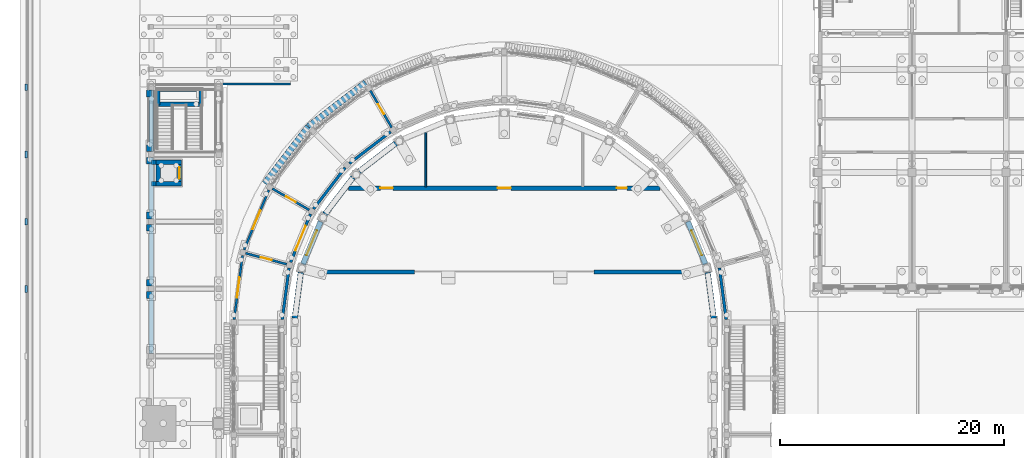
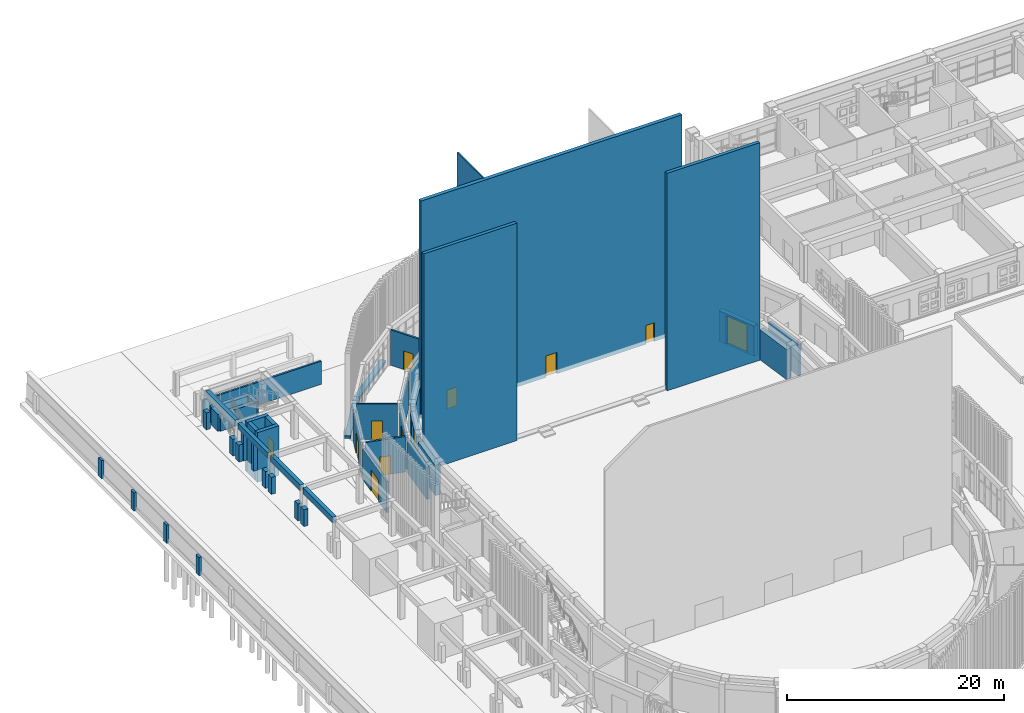
# One storey, part 69 of 112: 48 walls, 12 doors, 12 openings.
"""IFC4 building model written with IfcOpenShell, lengths in metres."""

from ifc_helpers import new_model, si_unit, direction, frame, frame_2d, origin, place, context, subcontext, project, spatial, rectangle, extrude, material, layer, layer_set, type_object, element, fill, save


model = new_model("IFC4")

# Units and contexts
model_context = context("Model", 3, precision=1e-05, world=origin(), true_north=direction((0.0, 1.0)))
body_context = subcontext(model_context, "Body", "Model", "MODEL_VIEW")
ifc_project = project(units=[si_unit("LENGTHUNIT", "METRE"), si_unit("AREAUNIT", "SQUARE_METRE"), si_unit("VOLUMEUNIT", "CUBIC_METRE"), si_unit("PLANEANGLEUNIT", "RADIAN"), si_unit("MASSUNIT", "GRAM", prefix="KILO")], contexts=[model_context])

# Site, building, storey
site_placement = place(None, origin())
site = spatial("IfcSite", under=ifc_project, at=site_placement, CompositionType="ELEMENT")
building_placement = place(site_placement, origin())
building = spatial("IfcBuilding", under=site, at=building_placement, Name="Wasatch Bagh Community Centre", CompositionType="ELEMENT")
storey_placement = place(building_placement, origin())
storey = spatial("IfcBuildingStorey", under=building, at=storey_placement, Name="L00", CompositionType="ELEMENT", Elevation=0.0)

# Walls
ifc_material_1 = material(Name="Concrete C40", Category="concrete")
ifc_layer_1 = layer(ifc_material_1, 0.39990234375)
ifc_layer_set_1 = layer_set([ifc_layer_1], Name="Concrete C40")
wall_type_1 = type_object("IfcWallType", Name="CT-W1", PredefinedType="STANDARD", material=ifc_layer_set_1)
for number, where, z_axis, x_axis, name in (
    (1, (4.5, 62.25, 3.300048828125), (0.0, 0.0, 1.0), (0.0, 1.0, 0.0), "CT-W1 arcade spandrel band 9"),
    (2, (4.5, 68.25, 3.300048828125), (0.0, 0.0, 1.0), (0.0, 1.0, 0.0), "CT-W1 arcade spandrel band 10"),
    (3, (4.5, 74.25, 3.300048828125), (0.0, 0.0, 1.0), (0.0, 1.0, 0.0), "CT-W1 arcade spandrel band 11"),
    (4, (4.5, 80.25, 3.300048828125), (0.0, 0.0, 1.0), (0.0, 1.0, 0.0), "CT-W1 arcade spandrel band 12"),
):
    element("IfcWall", number, at=place(storey_placement, frame(where, z_axis=z_axis, x_axis=x_axis)), inside=storey, type_object=wall_type_1, Name=name, PredefinedType="STANDARD", context=body_context, shape_type="SweptSolid", body=[
        extrude(rectangle(XDim=5.5, YDim=0.39990234375, at=frame_2d((2.75, 0.0))), origin(), (0.0, 0.0, 1.0), 0.64990234375),
    ])
ifc_layer_2 = layer(ifc_material_1, 0.39990234375)
ifc_layer_set_2 = layer_set([ifc_layer_2], Name="Concrete C40")
wall_type_2 = type_object("IfcWallType", Name="CT-W2", PredefinedType="SHEAR", material=ifc_layer_set_2)
for number, where, z_axis, x_axis, name in (
    (5, (4.89990234375, 77.39990234375, -1.39990234375), (0.0, 0.0, 1.0), (1.0, 0.0, 0.0), "LC2 shaft wall S"),
    (6, (4.89990234375, 79.300048828125, -1.39990234375), (0.0, 0.0, 1.0), (1.0, 0.0, 0.0), "LC2 shaft wall N"),
):
    element("IfcWall", number, at=place(storey_placement, frame(where, z_axis=z_axis, x_axis=x_axis)), inside=storey, type_object=wall_type_2, Name=name, PredefinedType="SHEAR", context=body_context, shape_type="SweptSolid", body=[
        extrude(rectangle(XDim=2.300048828125, YDim=0.39990234375, at=frame_2d((1.14990234375, 0.0))), origin(), (0.0, 0.0, 1.0), 5.599853515625),
    ])
wall_1_placement = place(storey_placement, frame((5.10009765625, 77.60009765625, -1.39990234375), z_axis=(0.0, 0.0, 1.0), x_axis=(0.0, 1.0, 0.0)))
element("IfcWall", 7, at=wall_1_placement, inside=storey, type_object=wall_type_2, Name="LC2 shaft wall W", PredefinedType="SHEAR", context=body_context, shape_type="SweptSolid", body=[
    extrude(rectangle(XDim=1.5, YDim=0.39990234375, at=frame_2d((0.75, 0.0))), origin(), (0.0, 0.0, 1.0), 5.599853515625),
])

# Wall, opening, door
wall_2_placement = place(storey_placement, frame((7.0, 77.60009765625, -1.39990234375), z_axis=(0.0, 0.0, 1.0), x_axis=(0.0, 1.0, 0.0)))
wall_2 = element("IfcWall", 8, at=wall_2_placement, inside=storey, type_object=wall_type_2, Name="LC2 shaft wall E", PredefinedType="SHEAR", context=body_context, shape_type="SweptSolid", body=[
    extrude(rectangle(XDim=1.5, YDim=0.39990234375, at=frame_2d((0.75, 0.0))), origin(), (0.0, 0.0, 1.0), 5.599853515625),
])
opening_1_placement = place(wall_2_placement, frame((0.25, 0.0, 1.39990234375)))
opening_1 = element("IfcOpeningElement", 9, at=opening_1_placement, cuts=wall_2, Name="Opening LD", PredefinedType="OPENING", context=body_context, shape_type="SweptSolid", body=[
    extrude(rectangle(XDim=1.0, YDim=2.10009765625, at=frame_2d((0.5, 1.050048828125))), frame((0.0, 0.2099609375, 0.0), z_axis=(0.0, -1.0, 0.0), x_axis=(1.0, 0.0, 0.0)), (0.0, 0.0, 1.0), 0.419921875),
])
ifc_material_2 = material(Name="Stainless steel landing door", Category="steel")
door_type_1 = type_object("IfcDoorType", Name="Lift landing door 1000 x 2100", OperationType="SLIDING_TO_LEFT", PredefinedType="DOOR", material=ifc_material_2)
door_1_placement = place(opening_1_placement, origin())
door_1 = element("IfcDoor", 10, at=door_1_placement, inside=storey, type_object=door_type_1, Name="LC2 landing door L00", OperationType="SLIDING_TO_LEFT", OverallHeight=2.10009765625, OverallWidth=1.0, PredefinedType="DOOR", context=body_context, shape_type="SweptSolid", body=[
    extrude(rectangle(XDim=1.0, YDim=2.10009765625, at=frame_2d((0.5, 1.050048828125))), frame((0.0, 0.02490234375, 0.0), z_axis=(0.0, -1.0, 0.0), x_axis=(1.0, 0.0, 0.0)), (0.0, 0.0, 1.0), 0.050048828125),
])
fill(opening_1, door_1)

# Walls
for number, where, z_axis, x_axis, name in (
    (11, (4.5, 77.39990234375, 0.0), (0.0, 0.0, 1.0), (1.0, 0.0, 0.0), "LC2 shaft wall return S"),
    (12, (4.5, 79.300048828125, 0.0), (0.0, 0.0, 1.0), (1.0, 0.0, 0.0), "LC2 shaft wall return N"),
):
    element("IfcWall", number, at=place(storey_placement, frame(where, z_axis=z_axis, x_axis=x_axis)), inside=storey, type_object=wall_type_2, Name=name, PredefinedType="SHEAR", context=body_context, shape_type="SweptSolid", body=[
        extrude(rectangle(XDim=0.39990234375, YDim=0.39990234375, at=frame_2d((0.199951171875, 0.0))), origin(), (0.0, 0.0, 1.0), 3.25),
    ])
wall_3_placement = place(storey_placement, frame((4.949951171875, 85.800048828125, 0.0), z_axis=(0.0, 0.0, 1.0), x_axis=(1.0, 0.0, 0.0)))
element("IfcWall", 13, at=wall_3_placement, inside=storey, type_object=wall_type_2, Name="CS2 landing support wall", PredefinedType="SHEAR", context=body_context, shape_type="SweptSolid", body=[
    extrude(rectangle(XDim=4.10009765625, YDim=0.39990234375, at=frame_2d((2.050048828125, 0.0))), origin(), (0.0, 0.0, 1.0), 1.89990234375),
])
wall_4_placement = place(storey_placement, frame((5.050048828125, 84.5, 0.0), z_axis=(0.0, 0.0, 1.0), x_axis=(1.0, 0.0, 0.0)))
element("IfcWall", 14, at=wall_4_placement, inside=storey, type_object=wall_type_2, Name="CS2 landing near wall", PredefinedType="SHEAR", context=body_context, shape_type="SweptSolid", body=[
    extrude(rectangle(XDim=3.89990234375, YDim=0.39990234375, at=frame_2d((1.949951171875, 0.0))), origin(), (0.0, 0.0, 1.0), 1.89990234375),
])
for number, where, z_axis, x_axis, name in (
    (15, (5.050048828125, 84.39990234375, 0.0), (0.0, 0.0, 1.0), (0.0, 1.0, 0.0), "CS2 landing side wall 1"),
    (16, (8.949951171875, 84.39990234375, 0.0), (0.0, 0.0, 1.0), (0.0, 1.0, 0.0), "CS2 landing side wall 2"),
):
    element("IfcWall", number, at=place(storey_placement, frame(where, z_axis=z_axis, x_axis=x_axis)), inside=storey, type_object=wall_type_2, Name=name, PredefinedType="SHEAR", context=body_context, shape_type="SweptSolid", body=[
        extrude(rectangle(XDim=1.300048828125, YDim=0.39990234375, at=frame_2d((0.64990234375, 0.0))), origin(), (0.0, 0.0, 1.0), 1.89990234375),
    ])
ifc_layer_3 = layer(ifc_material_1, 0.449951171875)
ifc_layer_set_3 = layer_set([ifc_layer_3], Name="Concrete C40")
wall_type_3 = type_object("IfcWallType", Name="CT-W6", PredefinedType="STANDARD", material=ifc_layer_set_3)
for number, where, z_axis, x_axis, name in (
    (17, (4.27490234375, 67.75, 0.0), (0.0, 0.0, 1.0), (0.0, -1.0, 0.0), "CT-W6 colonnade pier panel"),
    (18, (4.27490234375, 68.25, 0.0), (0.0, 0.0, 1.0), (0.0, 1.0, 0.0), "CT-W6 colonnade pier panel"),
    (19, (4.27490234375, 73.75, 0.0), (0.0, 0.0, 1.0), (0.0, -1.0, 0.0), "CT-W6 colonnade pier panel"),
    (20, (4.27490234375, 74.25, 0.0), (0.0, 0.0, 1.0), (0.0, 1.0, 0.0), "CT-W6 colonnade pier panel"),
    (21, (4.27490234375, 79.75, 0.0), (0.0, 0.0, 1.0), (0.0, -1.0, 0.0), "CT-W6 colonnade pier panel"),
    (22, (4.27490234375, 80.25, 0.0), (0.0, 0.0, 1.0), (0.0, 1.0, 0.0), "CT-W6 colonnade pier panel"),
    (23, (4.27490234375, 85.75, 0.0), (0.0, 0.0, 1.0), (0.0, -1.0, 0.0), "CT-W6 colonnade pier panel"),
):
    element("IfcWall", number, at=place(storey_placement, frame(where, z_axis=z_axis, x_axis=x_axis)), inside=storey, type_object=wall_type_3, Name=name, PredefinedType="STANDARD", context=body_context, shape_type="SweptSolid", body=[
        extrude(rectangle(XDim=0.60009765625, YDim=0.449951171875, at=frame_2d((0.300048828125, 0.0))), origin(), (0.0, 0.0, 1.0), 1.89990234375),
    ])

# Wall, opening, door
ifc_layer_4 = layer(ifc_material_1, 0.199951171875)
ifc_layer_set_4 = layer_set([ifc_layer_4], Name="Concrete C40")
wall_type_4 = type_object("IfcWallType", Name="Drum core wall RC WALL 200", PredefinedType="STANDARD", material=ifc_layer_set_4)
wall_5_placement = place(storey_placement, frame((16.5849609375, 70.2021484375, 0.0), z_axis=(0.0, 0.0, 1.0), x_axis=(-0.965919660258, 0.258842055948, 0.0)))
wall_5 = element("IfcWall", 24, at=wall_5_placement, inside=storey, type_object=wall_type_4, Name="Partition 29", PredefinedType="STANDARD", context=body_context, shape_type="SweptSolid", body=[
    extrude(rectangle(XDim=3.800048828125, YDim=0.199951171875, at=frame_2d((1.89990234375, 0.0))), origin(), (0.0, 0.0, 1.0), 4.0),
])
opening_2_placement = place(wall_5_placement, frame((1.39990234375, 0.0, 0.0)))
opening_2 = element("IfcOpeningElement", 25, at=opening_2_placement, cuts=wall_5, Name="Opening 0F-32", PredefinedType="OPENING", context=body_context, shape_type="SweptSolid", body=[
    extrude(rectangle(XDim=1.0, YDim=2.10009765625, at=frame_2d((0.5, 1.050048828125))), frame((0.0, 0.10986328125, 0.0), z_axis=(0.0, -1.0, 0.0), x_axis=(1.0, 0.0, 0.0)), (0.0, 0.0, 1.0), 0.219970703125),
])
ifc_material_3 = material(Name="Timber door leaf in steel frame", Category="steel")
door_type_2 = type_object("IfcDoorType", Name="Drum door single 1000 x 2100", OperationType="SINGLE_SWING_LEFT", PredefinedType="DOOR", material=ifc_material_3)
door_2_placement = place(opening_2_placement, origin())
door_2 = element("IfcDoor", 26, at=door_2_placement, inside=storey, type_object=door_type_2, Name="Door 0F-32", OperationType="SINGLE_SWING_LEFT", OverallHeight=2.10009765625, OverallWidth=1.0, PredefinedType="DOOR", context=body_context, shape_type="SweptSolid", body=[
    extrude(rectangle(XDim=1.0, YDim=2.10009765625, at=frame_2d((0.5, 1.050048828125))), frame((0.0, 0.02490234375, 0.0), z_axis=(0.0, -1.0, 0.0), x_axis=(1.0, 0.0, 0.0)), (0.0, 0.0, 1.0), 0.050048828125),
])
fill(opening_2, door_2)

ifc_layer_5 = layer(ifc_material_1, 0.199951171875)
ifc_layer_set_5 = layer_set([ifc_layer_5], Name="Concrete C40")
wall_type_5 = type_object("IfcWallType", Name="Drum entrance bay wall RC WALL 200", PredefinedType="STANDARD", material=ifc_layer_set_5)
wall_6_placement = place(storey_placement, frame((14.983642578125, 76.829345703125, 0.0), z_axis=(0.0, 0.0, 1.0), x_axis=(-0.382665553446, -0.923886938, 0.0)))
wall_6 = element("IfcWall", 27, at=wall_6_placement, inside=storey, type_object=wall_type_5, Name="Entrance bay wall 29", PredefinedType="STANDARD", context=body_context, shape_type="SweptSolid", body=[
    extrude(rectangle(XDim=5.772705078125, YDim=0.199951171875, at=frame_2d((2.88623046875, 0.0))), origin(), (0.0, 0.0, 1.0), 3.5),
])
opening_3_placement = place(wall_6_placement, frame((1.986328125, 0.0, 0.0)))
opening_3 = element("IfcOpeningElement", 28, at=opening_3_placement, cuts=wall_6, Name="Opening 0F-11", PredefinedType="OPENING", context=body_context, shape_type="SweptSolid", body=[
    extrude(rectangle(XDim=1.800048828125, YDim=2.39990234375, at=frame_2d((0.89990234375, 1.199951171875))), frame((0.0, 0.10986328125, 0.0), z_axis=(0.0, -1.0, 0.0), x_axis=(1.0, 0.0, 0.0)), (0.0, 0.0, 1.0), 0.219970703125),
])
ifc_material_4 = material(Name="Aluminium framed door with low-iron insulated glass", Category="aluminium")
door_type_3 = type_object("IfcDoorType", Name="Drum exit door pair 1800 x 2400", OperationType="DOUBLE_DOOR_DOUBLE_SWING", PredefinedType="DOOR", material=ifc_material_4)
door_3_placement = place(opening_3_placement, origin())
door_3 = element("IfcDoor", 29, at=door_3_placement, inside=storey, type_object=door_type_3, Name="Door 0F-11", OperationType="DOUBLE_DOOR_DOUBLE_SWING", OverallHeight=2.39990234375, OverallWidth=1.800048828125, PredefinedType="DOOR", context=body_context, shape_type="SweptSolid", body=[
    extrude(rectangle(XDim=1.800048828125, YDim=2.39990234375, at=frame_2d((0.89990234375, 1.199951171875))), frame((0.0, 0.02490234375, 0.0), z_axis=(0.0, -1.0, 0.0), x_axis=(1.0, 0.0, 0.0)), (0.0, 0.0, 1.0), 0.050048828125),
])
fill(opening_3, door_3)

wall_7_placement = place(storey_placement, frame((12.63818359375, 70.98681640625, 0.0), z_axis=(0.0, 0.0, 1.0), x_axis=(-0.130512494435, -0.991446664625, 0.0)))
wall_7 = element("IfcWall", 30, at=wall_7_placement, inside=storey, type_object=wall_type_5, Name="Entrance bay wall 30", PredefinedType="STANDARD", context=body_context, shape_type="SweptSolid", body=[
    extrude(rectangle(XDim=5.772705078125, YDim=0.199951171875, at=frame_2d((2.88623046875, 0.0))), origin(), (0.0, 0.0, 1.0), 3.5),
])
opening_4_placement = place(wall_7_placement, frame((1.986328125, 0.0, 0.0)))
opening_4 = element("IfcOpeningElement", 31, at=opening_4_placement, cuts=wall_7, Name="Opening 0F-12", PredefinedType="OPENING", context=body_context, shape_type="SweptSolid", body=[
    extrude(rectangle(XDim=1.800048828125, YDim=2.39990234375, at=frame_2d((0.89990234375, 1.199951171875))), frame((0.0, 0.10986328125, 0.0), z_axis=(0.0, -1.0, 0.0), x_axis=(1.0, 0.0, 0.0)), (0.0, 0.0, 1.0), 0.219970703125),
])
door_4_placement = place(opening_4_placement, origin())
door_4 = element("IfcDoor", 32, at=door_4_placement, inside=storey, type_object=door_type_3, Name="Door 0F-12", OperationType="DOUBLE_DOOR_DOUBLE_SWING", OverallHeight=2.39990234375, OverallWidth=1.800048828125, PredefinedType="DOOR", context=body_context, shape_type="SweptSolid", body=[
    extrude(rectangle(XDim=1.800048828125, YDim=2.39990234375, at=frame_2d((0.89990234375, 1.199951171875))), frame((0.0, 0.02490234375, 0.0), z_axis=(0.0, -1.0, 0.0), x_axis=(1.0, 0.0, 0.0)), (0.0, 0.0, 1.0), 0.050048828125),
])
fill(opening_4, door_4)

# Walls
ifc_layer_6 = layer(ifc_material_1, 0.25)
ifc_layer_set_6 = layer_set([ifc_layer_6], Name="Concrete C40")
wall_type_6 = type_object("IfcWallType", Name="Drum inner wall RC WALL 250", PredefinedType="SHEAR", material=ifc_layer_set_6)
for number, where, z_axis, x_axis, name in (
    (33, (55.81494140625, 65.266845703125, 0.0), (0.0, 0.0, 1.0), (-0.130541551055, 0.991442839224, 0.0), "Inner wall 19"),
    (34, (25.861572265625, 82.02685546875, 0.0), (0.0, 0.0, 1.0), (-0.793352432504, -0.608762612058, 0.0), "Inner wall 27"),
    (35, (21.800048828125, 78.822509765625, 0.0), (0.0, 0.0, 1.0), (-0.608762612058, -0.793352432504, 0.0), "Inner wall 28"),
):
    element("IfcWall", number, at=place(storey_placement, frame(where, z_axis=z_axis, x_axis=x_axis)), inside=storey, type_object=wall_type_6, Name=name, PredefinedType="SHEAR", context=body_context, shape_type="SweptSolid", body=[
        extrude(rectangle(XDim=4.643798828125, YDim=0.25, at=frame_2d((2.32177734375, 0.0))), origin(), (0.0, 0.0, 1.0), 3.60009765625),
    ])

# Wall, opening, door
wall_8_placement = place(storey_placement, frame((18.706298828125, 74.67626953125, 0.0), z_axis=(0.0, 0.0, 1.0), x_axis=(-0.382658268537, -0.923889955309, 0.0)))
wall_8 = element("IfcWall", 36, at=wall_8_placement, inside=storey, type_object=wall_type_6, Name="Inner wall 29", PredefinedType="SHEAR", context=body_context, shape_type="SweptSolid", body=[
    extrude(rectangle(XDim=4.6435546875, YDim=0.25, at=frame_2d((2.32177734375, 0.0))), origin(), (0.0, 0.0, 1.0), 3.60009765625),
])
opening_5_placement = place(wall_8_placement, frame((1.121826171875, 0.0, 0.0)))
opening_5 = element("IfcOpeningElement", 37, at=opening_5_placement, cuts=wall_8, Name="Opening 0F-65", PredefinedType="OPENING", context=body_context, shape_type="SweptSolid", body=[
    extrude(rectangle(XDim=2.39990234375, YDim=2.60009765625, at=frame_2d((1.199951171875, 1.300048828125))), frame((0.0, 0.135009765625, 0.0), z_axis=(0.0, -1.0, 0.0), x_axis=(1.0, 0.0, 0.0)), (0.0, 0.0, 1.0), 0.27001953125),
])
door_type_4 = type_object("IfcDoorType", Name="Drum gate door pair 2400 x 2600", OperationType="DOUBLE_DOOR_SLIDING", PredefinedType="DOOR", material=ifc_material_4)
door_5_placement = place(opening_5_placement, origin())
door_5 = element("IfcDoor", 38, at=door_5_placement, inside=storey, type_object=door_type_4, Name="Door 0F-65", OperationType="DOUBLE_DOOR_SLIDING", OverallHeight=2.60009765625, OverallWidth=2.39990234375, PredefinedType="DOOR", context=body_context, shape_type="SweptSolid", body=[
    extrude(rectangle(XDim=2.39990234375, YDim=2.60009765625, at=frame_2d((1.199951171875, 1.300048828125))), frame((0.0, 0.02490234375, 0.0), z_axis=(0.0, -1.0, 0.0), x_axis=(1.0, 0.0, 0.0)), (0.0, 0.0, 1.0), 0.050048828125),
])
fill(opening_5, door_5)

# Wall
wall_9_placement = place(storey_placement, frame((16.791259765625, 69.870849609375, 0.0), z_axis=(0.0, 0.0, 1.0), x_axis=(-0.130541551055, -0.991442839224, 0.0)))
element("IfcWall", 39, at=wall_9_placement, inside=storey, type_object=wall_type_6, Name="Inner wall 30", PredefinedType="SHEAR", context=body_context, shape_type="SweptSolid", body=[
    extrude(rectangle(XDim=4.643798828125, YDim=0.25, at=frame_2d((2.32177734375, 0.0))), origin(), (0.0, 0.0, 1.0), 3.60009765625),
])

# Wall, opening, door
ifc_material_5 = material(Name="Gypsum board partition on steel studs", Category="steel")
ifc_layer_7 = layer(ifc_material_5, 0.199951171875)
ifc_layer_set_7 = layer_set([ifc_layer_7], Name="Gypsum board partition on steel studs")
wall_type_7 = type_object("IfcWallType", Name="Drum partition 200", PredefinedType="PARTITIONING", material=ifc_layer_set_7)
wall_10_placement = place(storey_placement, frame((25.949951171875, 82.4072265625, 0.0), z_axis=(0.0, 0.0, 1.0), x_axis=(-0.499994975061, 0.866028304915, 0.0)))
wall_10 = element("IfcWall", 40, at=wall_10_placement, inside=storey, type_object=wall_type_7, Name="Partition 26", PredefinedType="PARTITIONING", context=body_context, shape_type="SweptSolid", body=[
    extrude(rectangle(XDim=3.7998046875, YDim=0.199951171875, at=frame_2d((1.89990234375, 0.0))), origin(), (0.0, 0.0, 1.0), 4.0),
])
opening_6_placement = place(wall_10_placement, frame((1.39990234375, 0.0, 0.0)))
opening_6 = element("IfcOpeningElement", 41, at=opening_6_placement, cuts=wall_10, Name="Opening 0F-30", PredefinedType="OPENING", context=body_context, shape_type="SweptSolid", body=[
    extrude(rectangle(XDim=1.0, YDim=2.10009765625, at=frame_2d((0.5, 1.050048828125))), frame((0.0, 0.10986328125, 0.0), z_axis=(0.0, -1.0, 0.0), x_axis=(1.0, 0.0, 0.0)), (0.0, 0.0, 1.0), 0.219970703125),
])
door_6_placement = place(opening_6_placement, origin())
door_6 = element("IfcDoor", 42, at=door_6_placement, inside=storey, type_object=door_type_2, Name="Door 0F-30", OperationType="SINGLE_SWING_LEFT", OverallHeight=2.10009765625, OverallWidth=1.0, PredefinedType="DOOR", context=body_context, shape_type="SweptSolid", body=[
    extrude(rectangle(XDim=1.0, YDim=2.10009765625, at=frame_2d((0.5, 1.050048828125))), frame((0.0, 0.02490234375, 0.0), z_axis=(0.0, -1.0, 0.0), x_axis=(1.0, 0.0, 0.0)), (0.0, 0.0, 1.0), 0.050048828125),
])
fill(opening_6, door_6)

wall_11_placement = place(storey_placement, frame((18.5927734375, 75.050048828125, 0.0), z_axis=(0.0, 0.0, 1.0), x_axis=(-0.866028304915, 0.499994975061, 0.0)))
wall_11 = element("IfcWall", 43, at=wall_11_placement, inside=storey, type_object=wall_type_7, Name="Partition 28", PredefinedType="PARTITIONING", context=body_context, shape_type="SweptSolid", body=[
    extrude(rectangle(XDim=3.7998046875, YDim=0.199951171875, at=frame_2d((1.89990234375, 0.0))), origin(), (0.0, 0.0, 1.0), 4.0),
])
opening_7_placement = place(wall_11_placement, frame((1.39990234375, 0.0, 0.0)))
opening_7 = element("IfcOpeningElement", 44, at=opening_7_placement, cuts=wall_11, Name="Opening 0F-31", PredefinedType="OPENING", context=body_context, shape_type="SweptSolid", body=[
    extrude(rectangle(XDim=1.0, YDim=2.10009765625, at=frame_2d((0.5, 1.050048828125))), frame((0.0, 0.10986328125, 0.0), z_axis=(0.0, -1.0, 0.0), x_axis=(1.0, 0.0, 0.0)), (0.0, 0.0, 1.0), 0.219970703125),
])
door_7_placement = place(opening_7_placement, origin())
door_7 = element("IfcDoor", 45, at=door_7_placement, inside=storey, type_object=door_type_2, Name="Door 0F-31", OperationType="SINGLE_SWING_RIGHT", OverallHeight=2.10009765625, OverallWidth=1.0, PredefinedType="DOOR", context=body_context, shape_type="SweptSolid", body=[
    extrude(rectangle(XDim=1.0, YDim=2.10009765625, at=frame_2d((0.5, 1.050048828125))), frame((0.0, 0.02490234375, 0.0), z_axis=(0.0, -1.0, 0.0), x_axis=(1.0, 0.0, 0.0)), (0.0, 0.0, 1.0), 0.050048828125),
])
fill(opening_7, door_7)

# Walls
ifc_material_6 = material(Name="Concrete C35 faced in red sandstone", Category="masonry")
ifc_layer_8 = layer(ifc_material_6, 0.669921875)
ifc_layer_set_8 = layer_set([ifc_layer_8], Name="Concrete C35 faced in red sandstone")
wall_type_8 = type_object("IfcWallType", Name="Drum sandstone plinth", PredefinedType="STANDARD", material=ifc_layer_set_8)
wall_12_placement = place(storey_placement, frame((23.62548828125, 86.4033203125, 0.0), z_axis=(0.0, 0.0, 1.0), x_axis=(-0.79334816813, -0.608768169442, 0.0)))
element("IfcWall", 46, at=wall_12_placement, inside=storey, type_object=wall_type_8, Name="Sandstone plinth 27", PredefinedType="STANDARD", context=body_context, shape_type="SweptSolid", body=[
    extrude(rectangle(XDim=6.42431640625, YDim=0.56005859375, at=frame_2d((3.212158203125, 0.0))), origin(), (0.0, 0.0, 1.0), 0.300048828125),
])
wall_13_placement = place(storey_placement, frame((18.507568359375, 82.47119140625, 0.0), z_axis=(0.0, 0.0, 1.0), x_axis=(-0.60874074273, -0.793369213003, 0.0)))
element("IfcWall", 47, at=wall_13_placement, inside=storey, type_object=wall_type_8, Name="Sandstone plinth 28", PredefinedType="STANDARD", context=body_context, shape_type="SweptSolid", body=[
    extrude(rectangle(XDim=6.364501953125, YDim=0.56005859375, at=frame_2d((3.18212890625, 0.0))), origin(), (0.0, 0.0, 1.0), 0.300048828125),
])
ifc_material_7 = material(Name="Concrete masonry block wall, plastered", Category="masonry")
ifc_layer_9 = layer(ifc_material_7, 0.14990234375)
ifc_layer_set_9 = layer_set([ifc_layer_9], Name="Concrete masonry block wall, plastered")
wall_type_9 = type_object("IfcWallType", Name="MH back-of-house block wall 150", PredefinedType="PARTITIONING", material=ifc_layer_set_9)
wall_14_placement = place(storey_placement, frame((29.0, 77.10009765625, 0.0), z_axis=(0.0, 0.0, 1.0), x_axis=(0.0, 1.0, 0.0)))
element("IfcWall", 48, at=wall_14_placement, inside=storey, type_object=wall_type_9, Name="Back-of-house wall 1", PredefinedType="PARTITIONING", context=body_context, shape_type="SweptSolid", body=[
    extrude(rectangle(XDim=4.85107421875, YDim=0.14990234375, at=frame_2d((2.425537109375, 0.0))), origin(), (0.0, 0.0, 1.0), 24.5),
])
ifc_material_8 = material(Name="Concrete C35", Category="concrete")
ifc_layer_10 = layer(ifc_material_8, 0.35009765625)
ifc_layer_set_10 = layer_set([ifc_layer_10], Name="Concrete C35")
wall_type_10 = type_object("IfcWallType", Name="MH proscenium wall 350", PredefinedType="STANDARD", material=ifc_layer_set_10)
for number, where, z_axis, x_axis, name in (
    (49, (18.094482421875, 69.5, 0.0), (0.0, 0.0, 1.0), (1.0, 0.0, 0.0), "Proscenium wall west"),
    (50, (44.0, 69.5, 0.0), (0.0, 0.0, 1.0), (1.0, 0.0, 0.0), "Proscenium wall east"),
):
    element("IfcWall", number, at=place(storey_placement, frame(where, z_axis=z_axis, x_axis=x_axis)), inside=storey, type_object=wall_type_10, Name=name, PredefinedType="STANDARD", context=body_context, shape_type="SweptSolid", body=[
        extrude(rectangle(XDim=9.905517578125, YDim=0.35009765625, at=frame_2d((4.95263671875, 0.0))), origin(), (0.0, 0.0, 1.0), 24.5),
    ])

# Wall, openings, doors
ifc_layer_11 = layer(ifc_material_8, 0.39990234375)
ifc_layer_set_11 = layer_set([ifc_layer_11], Name="Concrete C35")
wall_type_11 = type_object("IfcWallType", Name="MH stage back wall 400", PredefinedType="STANDARD", material=ifc_layer_set_11)
wall_15_placement = place(storey_placement, frame((22.09130859375, 77.0, 0.0), z_axis=(0.0, 0.0, 1.0), x_axis=(1.0, 0.0, 0.0)))
wall_15 = element("IfcWall", 51, at=wall_15_placement, inside=storey, type_object=wall_type_11, Name="Stage back wall", PredefinedType="STANDARD", context=body_context, shape_type="SweptSolid", body=[
    extrude(rectangle(XDim=27.8173828125, YDim=0.39990234375, at=frame_2d((13.90869140625, 0.0))), origin(), (0.0, 0.0, 1.0), 24.5),
])
opening_8_placement = place(wall_15_placement, frame((2.858642578125, 0.0, 0.0)))
opening_8 = element("IfcOpeningElement", 52, at=opening_8_placement, cuts=wall_15, Name="Opening 0M-31", PredefinedType="OPENING", context=body_context, shape_type="SweptSolid", body=[
    extrude(rectangle(XDim=1.10009765625, YDim=2.10009765625, at=frame_2d((0.550048828125, 1.050048828125))), frame((0.0, 0.2099609375, 0.0), z_axis=(0.0, -1.0, 0.0), x_axis=(1.0, 0.0, 0.0)), (0.0, 0.0, 1.0), 0.419921875),
])
opening_9_placement = place(wall_15_placement, frame((13.30859375, 0.0, 0.0)))
opening_9 = element("IfcOpeningElement", 53, at=opening_9_placement, cuts=wall_15, Name="Opening 0M-32", PredefinedType="OPENING", context=body_context, shape_type="SweptSolid", body=[
    extrude(rectangle(XDim=1.199951171875, YDim=2.39990234375, at=frame_2d((0.60009765625, 1.199951171875))), frame((0.0, 0.2099609375, 0.0), z_axis=(0.0, -1.0, 0.0), x_axis=(1.0, 0.0, 0.0)), (0.0, 0.0, 1.0), 0.419921875),
])
opening_10_placement = place(wall_15_placement, frame((23.958740234375, 0.0, 0.0)))
opening_10 = element("IfcOpeningElement", 54, at=opening_10_placement, cuts=wall_15, Name="Opening 0M-33", PredefinedType="OPENING", context=body_context, shape_type="SweptSolid", body=[
    extrude(rectangle(XDim=0.89990234375, YDim=2.10009765625, at=frame_2d((0.449951171875, 1.050048828125))), frame((0.0, 0.2099609375, 0.0), z_axis=(0.0, -1.0, 0.0), x_axis=(1.0, 0.0, 0.0)), (0.0, 0.0, 1.0), 0.419921875),
])
door_type_5 = type_object("IfcDoorType", Name="MH dressing room door 1100 x 2100", OperationType="SINGLE_SWING_LEFT", PredefinedType="DOOR", material=ifc_material_3)
door_8_placement = place(opening_8_placement, origin())
door_8 = element("IfcDoor", 55, at=door_8_placement, inside=storey, type_object=door_type_5, Name="Door 0M-31", OperationType="SINGLE_SWING_LEFT", OverallHeight=2.10009765625, OverallWidth=1.10009765625, PredefinedType="DOOR", context=body_context, shape_type="SweptSolid", body=[
    extrude(rectangle(XDim=1.10009765625, YDim=2.10009765625, at=frame_2d((0.550048828125, 1.050048828125))), frame((0.0, 0.02490234375, 0.0), z_axis=(0.0, -1.0, 0.0), x_axis=(1.0, 0.0, 0.0)), (0.0, 0.0, 1.0), 0.050048828125),
])
fill(opening_8, door_8)
door_type_6 = type_object("IfcDoorType", Name="MH scenery door 1200 x 2400", OperationType="SINGLE_SWING_LEFT", PredefinedType="DOOR", material=ifc_material_3)
door_9_placement = place(opening_9_placement, origin())
door_9 = element("IfcDoor", 56, at=door_9_placement, inside=storey, type_object=door_type_6, Name="Door 0M-32", OperationType="SINGLE_SWING_RIGHT", OverallHeight=2.39990234375, OverallWidth=1.199951171875, PredefinedType="DOOR", context=body_context, shape_type="SweptSolid", body=[
    extrude(rectangle(XDim=1.199951171875, YDim=2.39990234375, at=frame_2d((0.60009765625, 1.199951171875))), frame((0.0, 0.02490234375, 0.0), z_axis=(0.0, -1.0, 0.0), x_axis=(1.0, 0.0, 0.0)), (0.0, 0.0, 1.0), 0.050048828125),
])
fill(opening_9, door_9)
door_type_7 = type_object("IfcDoorType", Name="MH store door 900 x 2100", OperationType="SINGLE_SWING_LEFT", PredefinedType="DOOR", material=ifc_material_3)
door_10_placement = place(opening_10_placement, origin())
door_10 = element("IfcDoor", 57, at=door_10_placement, inside=storey, type_object=door_type_7, Name="Door 0M-33", OperationType="SINGLE_SWING_LEFT", OverallHeight=2.10009765625, OverallWidth=0.89990234375, PredefinedType="DOOR", context=body_context, shape_type="SweptSolid", body=[
    extrude(rectangle(XDim=0.89990234375, YDim=2.10009765625, at=frame_2d((0.449951171875, 1.050048828125))), frame((0.0, 0.02490234375, 0.0), z_axis=(0.0, -1.0, 0.0), x_axis=(1.0, 0.0, 0.0)), (0.0, 0.0, 1.0), 0.050048828125),
])
fill(opening_10, door_10)

# Wall
ifc_layer_12 = layer(ifc_material_1, 0.5)
ifc_layer_set_12 = layer_set([ifc_layer_12], Name="Concrete C40")
wall_type_12 = type_object("IfcWallType", Name="MH wall RC WALL 500", PredefinedType="SHEAR", material=ifc_layer_set_12)
wall_16_placement = place(storey_placement, frame((54.699462890625, 65.383056640625, 0.0), z_axis=(0.0, 0.0, 1.0), x_axis=(-0.130483623501, 0.991450464722, 0.0)))
element("IfcWall", 58, at=wall_16_placement, inside=storey, type_object=wall_type_12, Name="Capsule wall 19", PredefinedType="SHEAR", context=body_context, shape_type="SweptSolid", body=[
    extrude(rectangle(XDim=4.121826171875, YDim=0.5, at=frame_2d((2.06103515625, 0.0))), origin(), (0.0, 0.0, 1.0), 3.39990234375),
])

# Wall, opening, door
wall_17_placement = place(storey_placement, frame((53.963134765625, 70.2099609375, 0.0), z_axis=(0.0, 0.0, 1.0), x_axis=(-0.382688328955, 0.923877504262, 0.0)))
wall_17 = element("IfcWall", 59, at=wall_17_placement, inside=storey, type_object=wall_type_12, Name="Capsule wall 20", PredefinedType="SHEAR", context=body_context, shape_type="SweptSolid", body=[
    extrude(rectangle(XDim=4.121826171875, YDim=0.5, at=frame_2d((2.06103515625, 0.0))), origin(), (0.0, 0.0, 1.0), 3.39990234375),
])
opening_11_placement = place(wall_17_placement, frame((0.86083984375, 0.0, 0.0)))
opening_11 = element("IfcOpeningElement", 60, at=opening_11_placement, cuts=wall_17, Name="Opening 0M-06", PredefinedType="OPENING", context=body_context, shape_type="SweptSolid", body=[
    extrude(rectangle(XDim=2.39990234375, YDim=3.199951171875, at=frame_2d((1.199951171875, 1.60009765625))), frame((0.0, 0.260009765625, 0.0), z_axis=(0.0, -1.0, 0.0), x_axis=(1.0, 0.0, 0.0)), (0.0, 0.0, 1.0), 0.52001953125),
])
door_type_8 = type_object("IfcDoorType", Name="MH gate door pair 2400 x 3200", OperationType="DOUBLE_DOOR_SLIDING", PredefinedType="DOOR", material=ifc_material_4)
door_11_placement = place(opening_11_placement, origin())
door_11 = element("IfcDoor", 61, at=door_11_placement, inside=storey, type_object=door_type_8, Name="Door 0M-06", OperationType="DOUBLE_DOOR_SLIDING", OverallHeight=3.199951171875, OverallWidth=2.39990234375, PredefinedType="DOOR", context=body_context, shape_type="SweptSolid", body=[
    extrude(rectangle(XDim=2.39990234375, YDim=3.199951171875, at=frame_2d((1.199951171875, 1.60009765625))), frame((0.0, 0.02490234375, 0.0), z_axis=(0.0, -1.0, 0.0), x_axis=(1.0, 0.0, 0.0)), (0.0, 0.0, 1.0), 0.050048828125),
])
fill(opening_11, door_11)

# Walls
for number, where, z_axis, x_axis, name in (
    (62, (26.318359375, 81.002685546875, 0.0), (0.0, 0.0, 1.0), (-0.793341258985, -0.60877717335, 0.0), "Capsule wall 27"),
    (63, (22.506591796875, 77.95166015625, 0.0), (0.0, 0.0, 1.0), (-0.60877717335, -0.793341258985, 0.0), "Capsule wall 28"),
):
    element("IfcWall", number, at=place(storey_placement, frame(where, z_axis=z_axis, x_axis=x_axis)), inside=storey, type_object=wall_type_12, Name=name, PredefinedType="SHEAR", context=body_context, shape_type="SweptSolid", body=[
        extrude(rectangle(XDim=4.121826171875, YDim=0.5, at=frame_2d((2.06103515625, 0.0))), origin(), (0.0, 0.0, 1.0), 3.39990234375),
    ])

# Wall, opening, door
wall_18_placement = place(storey_placement, frame((19.6142578125, 74.01806640625, 0.0), z_axis=(0.0, 0.0, 1.0), x_axis=(-0.382688328955, -0.923877504262, 0.0)))
wall_18 = element("IfcWall", 64, at=wall_18_placement, inside=storey, type_object=wall_type_12, Name="Capsule wall 29", PredefinedType="SHEAR", context=body_context, shape_type="SweptSolid", body=[
    extrude(rectangle(XDim=4.121826171875, YDim=0.5, at=frame_2d((2.06103515625, 0.0))), origin(), (0.0, 0.0, 1.0), 3.39990234375),
])
opening_12_placement = place(wall_18_placement, frame((0.86083984375, 0.0, 0.0)))
opening_12 = element("IfcOpeningElement", 65, at=opening_12_placement, cuts=wall_18, Name="Opening 0M-08", PredefinedType="OPENING", context=body_context, shape_type="SweptSolid", body=[
    extrude(rectangle(XDim=2.39990234375, YDim=3.199951171875, at=frame_2d((1.199951171875, 1.60009765625))), frame((0.0, 0.260009765625, 0.0), z_axis=(0.0, -1.0, 0.0), x_axis=(1.0, 0.0, 0.0)), (0.0, 0.0, 1.0), 0.52001953125),
])
door_12_placement = place(opening_12_placement, origin())
door_12 = element("IfcDoor", 66, at=door_12_placement, inside=storey, type_object=door_type_8, Name="Door 0M-08", OperationType="DOUBLE_DOOR_SLIDING", OverallHeight=3.199951171875, OverallWidth=2.39990234375, PredefinedType="DOOR", context=body_context, shape_type="SweptSolid", body=[
    extrude(rectangle(XDim=2.39990234375, YDim=3.199951171875, at=frame_2d((1.199951171875, 1.60009765625))), frame((0.0, 0.02490234375, 0.0), z_axis=(0.0, -1.0, 0.0), x_axis=(1.0, 0.0, 0.0)), (0.0, 0.0, 1.0), 0.050048828125),
])
fill(opening_12, door_12)

# Walls
wall_19_placement = place(storey_placement, frame((17.83837890625, 69.4697265625, 0.0), z_axis=(0.0, 0.0, 1.0), x_axis=(-0.130483623501, -0.991450464722, 0.0)))
element("IfcWall", 67, at=wall_19_placement, inside=storey, type_object=wall_type_12, Name="Capsule wall 30", PredefinedType="SHEAR", context=body_context, shape_type="SweptSolid", body=[
    extrude(rectangle(XDim=4.121826171875, YDim=0.5, at=frame_2d((2.06103515625, 0.0))), origin(), (0.0, 0.0, 1.0), 3.39990234375),
])
ifc_layer_13 = layer(ifc_material_8, 0.25)
ifc_layer_set_13 = layer_set([ifc_layer_13], Name="Concrete C35")
wall_type_13 = type_object("IfcWallType", Name="SITE-QP", PredefinedType="SOLIDWALL", material=ifc_layer_set_13)
for number, where, z_axis, x_axis, name in (
    (68, (-6.675048828125, 67.699951171875, -2.050048828125), (0.0, 0.0, 1.0), (0.0, 1.0, 0.0), "Quay pilaster 11"),
    (69, (-6.675048828125, 73.699951171875, -2.050048828125), (0.0, 0.0, 1.0), (0.0, 1.0, 0.0), "Quay pilaster 12"),
    (70, (-6.675048828125, 79.699951171875, -2.050048828125), (0.0, 0.0, 1.0), (0.0, 1.0, 0.0), "Quay pilaster 13"),
    (71, (-6.675048828125, 85.699951171875, -2.050048828125), (0.0, 0.0, 1.0), (0.0, 1.0, 0.0), "Quay pilaster 14"),
):
    element("IfcWall", number, at=place(storey_placement, frame(where, z_axis=z_axis, x_axis=x_axis)), inside=storey, type_object=wall_type_13, Name=name, PredefinedType="SOLIDWALL", context=body_context, shape_type="SweptSolid", body=[
        extrude(rectangle(XDim=0.60009765625, YDim=0.25, at=frame_2d((0.300048828125, 0.0))), origin(), (0.0, 0.0, 1.0), 2.050048828125),
    ])
ifc_material_9 = material(Name="Precast concrete C30/37", Category="concrete")
ifc_layer_14 = layer(ifc_material_9, 0.199951171875)
ifc_layer_set_14 = layer_set([ifc_layer_14], Name="Precast concrete C30/37")
wall_type_14 = type_object("IfcWallType", Name="SITE-W1", PredefinedType="SOLIDWALL", material=ifc_layer_set_14)
wall_20_placement = place(storey_placement, frame((4.300048828125, 86.300048828125, 0.0), z_axis=(0.0, 0.0, 1.0), x_axis=(1.0, 0.0, 0.0)))
element("IfcWall", 72, at=wall_20_placement, inside=storey, type_object=wall_type_14, Name="Bicycle store back wall", PredefinedType="SOLIDWALL", context=body_context, shape_type="SweptSolid", body=[
    extrude(rectangle(XDim=12.599853515625, YDim=0.199951171875, at=frame_2d((6.2998046875, 0.0))), origin(), (0.0, 0.0, 1.0), 2.60009765625),
])

save(model, "model.ifc")
